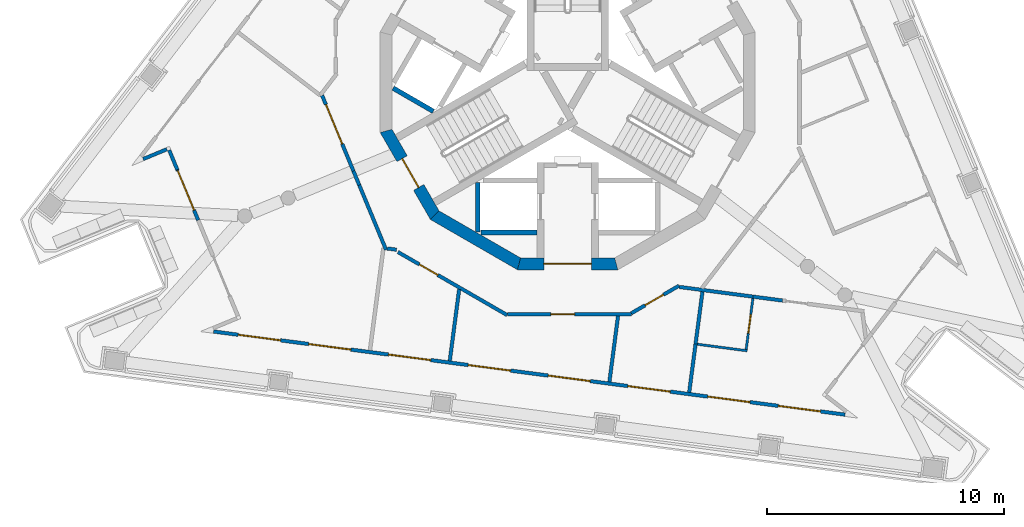
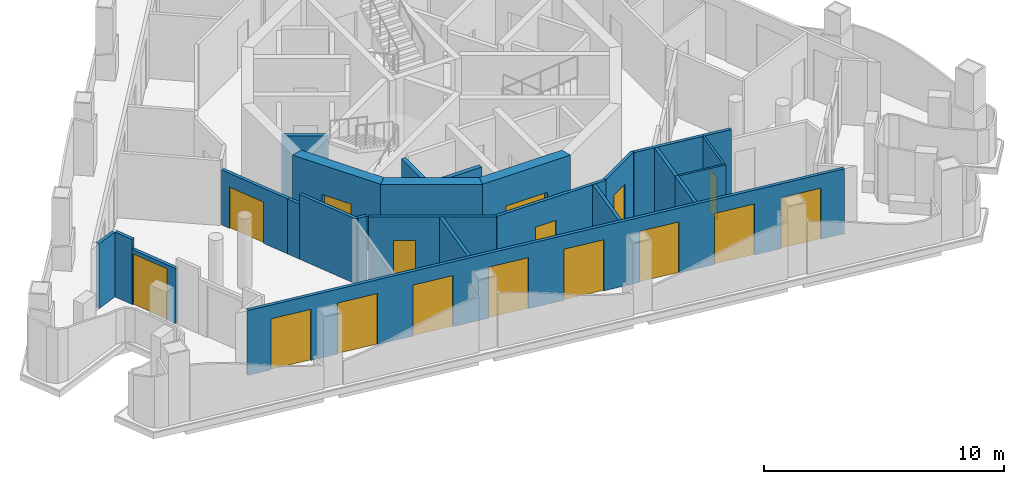
# One storey, part 2 of 12: 25 walls, 16 doors, 16 openings.
"""IFC4 building model written with IfcOpenShell, lengths in metres."""

from ifc_helpers import new_model, si_unit, direction, frame, frame_2d, origin, place, context, subcontext, project, spatial, polyline, rectangle, outline, extrude, material, layer, layer_set, type_object, element, fill, save


model = new_model("IFC4")

# Units and contexts
model_context = context("Model", 3, precision=1e-05, world=origin(), true_north=direction((0.0, 1.0)))
body_context = subcontext(model_context, "Body", "Model", "MODEL_VIEW")
ifc_project = project(units=[si_unit("LENGTHUNIT", "METRE"), si_unit("AREAUNIT", "SQUARE_METRE"), si_unit("VOLUMEUNIT", "CUBIC_METRE"), si_unit("PLANEANGLEUNIT", "RADIAN"), si_unit("MASSUNIT", "GRAM", prefix="KILO")], contexts=[model_context])

# Site, building, storey
site_placement = place(None, origin())
site = spatial("IfcSite", under=ifc_project, at=site_placement, CompositionType="ELEMENT")
building_placement = place(site_placement, origin())
building = spatial("IfcBuilding", under=site, at=building_placement, Name="Trine Commons Tower", CompositionType="ELEMENT")
storey_placement = place(building_placement, frame((0.0, 0.0, 289.800048828125)))
storey = spatial("IfcBuildingStorey", under=building, at=storey_placement, Name="L76", CompositionType="ELEMENT", Elevation=289.800048828125)

# Wall, openings, doors
ifc_material_1 = material(Name="Aluminium-framed insulated wall panel", Category="aluminium")
ifc_layer_1 = layer(ifc_material_1, 0.14990234375)
ifc_layer_set_1 = layer_set([ifc_layer_1], Name="Aluminium-framed insulated wall panel")
wall_type_1 = type_object("IfcWallType", Name="Glazed frame wall 150, EI 60", PredefinedType="SOLIDWALL", material=ifc_layer_set_1)
wall_1_placement = place(storey_placement, frame((91.869140625, 48.4384765625, 0.0), z_axis=(0.0, 0.0, 1.0), x_axis=(-0.991445282789, 0.130522991213, 0.0)))
wall_1 = element("IfcWall", 1, at=wall_1_placement, inside=storey, type_object=wall_type_1, Name="Glazed frame wall F3", PredefinedType="SOLIDWALL", context=body_context, shape_type="SweptSolid", body=[
    extrude(outline(polyline([(0.1494140625, 0.074951171875), (0.1494140625, -0.074951171875), (27.056884765625, -0.074951171875), (27.056884765625, 0.074951171875), (0.1494140625, 0.074951171875)])), origin(), (0.0, 0.0, 1.0), 3.300048828125),
])
opening_1_placement = place(wall_1_placement, frame((1.200439453125, 0.0, 0.0)))
opening_1 = element("IfcOpeningElement", 2, at=opening_1_placement, cuts=wall_1, Name="Opening BD-8F3-01", PredefinedType="OPENING", context=body_context, shape_type="SweptSolid", body=[
    extrude(rectangle(XDim=1.800048828125, YDim=2.60009765625, at=frame_2d((0.89990234375, 1.300048828125))), frame((0.0, 0.0849609375, 0.0), z_axis=(0.0, -1.0, 0.0), x_axis=(1.0, 0.0, 0.0)), (0.0, 0.0, 1.0), 0.169921875),
])
opening_2_placement = place(wall_1_placement, frame((4.201171875, 0.0, 0.0)))
opening_2 = element("IfcOpeningElement", 3, at=opening_2_placement, cuts=wall_1, Name="Opening BD-8F3-02", PredefinedType="OPENING", context=body_context, shape_type="SweptSolid", body=[
    extrude(rectangle(XDim=1.800048828125, YDim=2.60009765625, at=frame_2d((0.89990234375, 1.300048828125))), frame((0.0, 0.0849609375, 0.0), z_axis=(0.0, -1.0, 0.0), x_axis=(1.0, 0.0, 0.0)), (0.0, 0.0, 1.0), 0.169921875),
])
opening_3_placement = place(wall_1_placement, frame((7.60205078125, 0.0, 0.0)))
opening_3 = element("IfcOpeningElement", 4, at=opening_3_placement, cuts=wall_1, Name="Opening BD-8F3-03", PredefinedType="OPENING", context=body_context, shape_type="SweptSolid", body=[
    extrude(rectangle(XDim=1.800048828125, YDim=2.60009765625, at=frame_2d((0.89990234375, 1.300048828125))), frame((0.0, 0.0849609375, 0.0), z_axis=(0.0, -1.0, 0.0), x_axis=(1.0, 0.0, 0.0)), (0.0, 0.0, 1.0), 0.169921875),
])
opening_4_placement = place(wall_1_placement, frame((11.002685546875, 0.0, 0.0)))
opening_4 = element("IfcOpeningElement", 5, at=opening_4_placement, cuts=wall_1, Name="Opening BD-8F3-04", PredefinedType="OPENING", context=body_context, shape_type="SweptSolid", body=[
    extrude(rectangle(XDim=1.800048828125, YDim=2.60009765625, at=frame_2d((0.89990234375, 1.300048828125))), frame((0.0, 0.0849609375, 0.0), z_axis=(0.0, -1.0, 0.0), x_axis=(1.0, 0.0, 0.0)), (0.0, 0.0, 1.0), 0.169921875),
])
opening_5_placement = place(wall_1_placement, frame((14.403564453125, 0.0, 0.0)))
opening_5 = element("IfcOpeningElement", 6, at=opening_5_placement, cuts=wall_1, Name="Opening BD-8F3-05", PredefinedType="OPENING", context=body_context, shape_type="SweptSolid", body=[
    extrude(rectangle(XDim=1.800048828125, YDim=2.60009765625, at=frame_2d((0.89990234375, 1.300048828125))), frame((0.0, 0.0849609375, 0.0), z_axis=(0.0, -1.0, 0.0), x_axis=(1.0, 0.0, 0.0)), (0.0, 0.0, 1.0), 0.169921875),
])
opening_6_placement = place(wall_1_placement, frame((17.804443359375, 0.0, 0.0)))
opening_6 = element("IfcOpeningElement", 7, at=opening_6_placement, cuts=wall_1, Name="Opening BD-8F3-06", PredefinedType="OPENING", context=body_context, shape_type="SweptSolid", body=[
    extrude(rectangle(XDim=1.800048828125, YDim=2.60009765625, at=frame_2d((0.89990234375, 1.300048828125))), frame((0.0, 0.0849609375, 0.0), z_axis=(0.0, -1.0, 0.0), x_axis=(1.0, 0.0, 0.0)), (0.0, 0.0, 1.0), 0.169921875),
])
opening_7_placement = place(wall_1_placement, frame((21.205078125, 0.0, 0.0)))
opening_7 = element("IfcOpeningElement", 8, at=opening_7_placement, cuts=wall_1, Name="Opening BD-8F3-07", PredefinedType="OPENING", context=body_context, shape_type="SweptSolid", body=[
    extrude(rectangle(XDim=1.800048828125, YDim=2.60009765625, at=frame_2d((0.89990234375, 1.300048828125))), frame((0.0, 0.0849609375, 0.0), z_axis=(0.0, -1.0, 0.0), x_axis=(1.0, 0.0, 0.0)), (0.0, 0.0, 1.0), 0.169921875),
])
opening_8_placement = place(wall_1_placement, frame((24.2060546875, 0.0, 0.0)))
opening_8 = element("IfcOpeningElement", 9, at=opening_8_placement, cuts=wall_1, Name="Opening BD-8F3-08", PredefinedType="OPENING", context=body_context, shape_type="SweptSolid", body=[
    extrude(rectangle(XDim=1.800048828125, YDim=2.60009765625, at=frame_2d((0.89990234375, 1.300048828125))), frame((0.0, 0.0849609375, 0.0), z_axis=(0.0, -1.0, 0.0), x_axis=(1.0, 0.0, 0.0)), (0.0, 0.0, 1.0), 0.169921875),
])
ifc_material_2 = material(Name="Anodised aluminium frame with double glazing", Category="aluminium")
door_type_1 = type_object("IfcDoorType", Name="Sliding loggia door 1800x2600", OperationType="SLIDING_TO_LEFT", PredefinedType="DOOR", material=ifc_material_2)
door_1_placement = place(opening_1_placement, origin())
door_1 = element("IfcDoor", 10, at=door_1_placement, inside=storey, type_object=door_type_1, Name="Loggia door F3 1", OperationType="SLIDING_TO_LEFT", OverallHeight=2.60009765625, OverallWidth=1.800048828125, PredefinedType="DOOR", context=body_context, shape_type="SweptSolid", body=[
    extrude(rectangle(XDim=1.800048828125, YDim=2.60009765625, at=frame_2d((0.89990234375, 1.300048828125))), frame((0.0, 0.02490234375, 0.0), z_axis=(0.0, -1.0, 0.0), x_axis=(1.0, 0.0, 0.0)), (0.0, 0.0, 1.0), 0.050048828125),
])
fill(opening_1, door_1)
door_2_placement = place(opening_2_placement, origin())
door_2 = element("IfcDoor", 11, at=door_2_placement, inside=storey, type_object=door_type_1, Name="Loggia door F3 2", OperationType="SLIDING_TO_LEFT", OverallHeight=2.60009765625, OverallWidth=1.800048828125, PredefinedType="DOOR", context=body_context, shape_type="SweptSolid", body=[
    extrude(rectangle(XDim=1.800048828125, YDim=2.60009765625, at=frame_2d((0.89990234375, 1.300048828125))), frame((0.0, 0.02490234375, 0.0), z_axis=(0.0, -1.0, 0.0), x_axis=(1.0, 0.0, 0.0)), (0.0, 0.0, 1.0), 0.050048828125),
])
fill(opening_2, door_2)
door_3_placement = place(opening_3_placement, origin())
door_3 = element("IfcDoor", 12, at=door_3_placement, inside=storey, type_object=door_type_1, Name="Loggia door F3 3", OperationType="SLIDING_TO_LEFT", OverallHeight=2.60009765625, OverallWidth=1.800048828125, PredefinedType="DOOR", context=body_context, shape_type="SweptSolid", body=[
    extrude(rectangle(XDim=1.800048828125, YDim=2.60009765625, at=frame_2d((0.89990234375, 1.300048828125))), frame((0.0, 0.02490234375, 0.0), z_axis=(0.0, -1.0, 0.0), x_axis=(1.0, 0.0, 0.0)), (0.0, 0.0, 1.0), 0.050048828125),
])
fill(opening_3, door_3)
door_4_placement = place(opening_4_placement, origin())
door_4 = element("IfcDoor", 13, at=door_4_placement, inside=storey, type_object=door_type_1, Name="Loggia door F3 4", OperationType="SLIDING_TO_LEFT", OverallHeight=2.60009765625, OverallWidth=1.800048828125, PredefinedType="DOOR", context=body_context, shape_type="SweptSolid", body=[
    extrude(rectangle(XDim=1.800048828125, YDim=2.60009765625, at=frame_2d((0.89990234375, 1.300048828125))), frame((0.0, 0.02490234375, 0.0), z_axis=(0.0, -1.0, 0.0), x_axis=(1.0, 0.0, 0.0)), (0.0, 0.0, 1.0), 0.050048828125),
])
fill(opening_4, door_4)
door_5_placement = place(opening_5_placement, origin())
door_5 = element("IfcDoor", 14, at=door_5_placement, inside=storey, type_object=door_type_1, Name="Loggia door F3 5", OperationType="SLIDING_TO_LEFT", OverallHeight=2.60009765625, OverallWidth=1.800048828125, PredefinedType="DOOR", context=body_context, shape_type="SweptSolid", body=[
    extrude(rectangle(XDim=1.800048828125, YDim=2.60009765625, at=frame_2d((0.89990234375, 1.300048828125))), frame((0.0, 0.02490234375, 0.0), z_axis=(0.0, -1.0, 0.0), x_axis=(1.0, 0.0, 0.0)), (0.0, 0.0, 1.0), 0.050048828125),
])
fill(opening_5, door_5)
door_6_placement = place(opening_6_placement, origin())
door_6 = element("IfcDoor", 15, at=door_6_placement, inside=storey, type_object=door_type_1, Name="Loggia door F3 6", OperationType="SLIDING_TO_LEFT", OverallHeight=2.60009765625, OverallWidth=1.800048828125, PredefinedType="DOOR", context=body_context, shape_type="SweptSolid", body=[
    extrude(rectangle(XDim=1.800048828125, YDim=2.60009765625, at=frame_2d((0.89990234375, 1.300048828125))), frame((0.0, 0.02490234375, 0.0), z_axis=(0.0, -1.0, 0.0), x_axis=(1.0, 0.0, 0.0)), (0.0, 0.0, 1.0), 0.050048828125),
])
fill(opening_6, door_6)
door_7_placement = place(opening_7_placement, origin())
door_7 = element("IfcDoor", 16, at=door_7_placement, inside=storey, type_object=door_type_1, Name="Loggia door F3 7", OperationType="SLIDING_TO_LEFT", OverallHeight=2.60009765625, OverallWidth=1.800048828125, PredefinedType="DOOR", context=body_context, shape_type="SweptSolid", body=[
    extrude(rectangle(XDim=1.800048828125, YDim=2.60009765625, at=frame_2d((0.89990234375, 1.300048828125))), frame((0.0, 0.02490234375, 0.0), z_axis=(0.0, -1.0, 0.0), x_axis=(1.0, 0.0, 0.0)), (0.0, 0.0, 1.0), 0.050048828125),
])
fill(opening_7, door_7)
door_8_placement = place(opening_8_placement, origin())
door_8 = element("IfcDoor", 17, at=door_8_placement, inside=storey, type_object=door_type_1, Name="Loggia door F3 8", OperationType="SLIDING_TO_LEFT", OverallHeight=2.60009765625, OverallWidth=1.800048828125, PredefinedType="DOOR", context=body_context, shape_type="SweptSolid", body=[
    extrude(rectangle(XDim=1.800048828125, YDim=2.60009765625, at=frame_2d((0.89990234375, 1.300048828125))), frame((0.0, 0.02490234375, 0.0), z_axis=(0.0, -1.0, 0.0), x_axis=(1.0, 0.0, 0.0)), (0.0, 0.0, 1.0), 0.050048828125),
])
fill(opening_8, door_8)

# Wall, opening, door
wall_2_placement = place(storey_placement, frame((64.392578125, 56.673095703125, 0.0), z_axis=(0.0, 0.0, 1.0), x_axis=(-0.382693948857, 0.923875176368, 0.0)))
wall_2 = element("IfcWall", 18, at=wall_2_placement, inside=storey, type_object=wall_type_1, Name="Glazed frame wall P3.4", PredefinedType="SOLIDWALL", context=body_context, shape_type="SweptSolid", body=[
    extrude(outline(polyline([(0.0, -0.074951171875), (2.310546875, -0.074951171875), (2.310546875, 0.074951171875), (0.0, 0.074951171875), (0.0, -0.074951171875)])), origin(), (0.0, 0.0, 1.0), 2.800048828125),
])
opening_9_placement = place(wall_2_placement, frame((0.460693359375, 0.0, 0.0)))
opening_9 = element("IfcOpeningElement", 19, at=opening_9_placement, cuts=wall_2, Name="Opening BD-8P3-02", PredefinedType="OPENING", context=body_context, shape_type="SweptSolid", body=[
    extrude(rectangle(XDim=1.800048828125, YDim=2.60009765625, at=frame_2d((0.89990234375, 1.300048828125))), frame((0.0, 0.0849609375, 0.0), z_axis=(0.0, -1.0, 0.0), x_axis=(1.0, 0.0, 0.0)), (0.0, 0.0, 1.0), 0.169921875),
])
door_9_placement = place(opening_9_placement, origin())
door_9 = element("IfcDoor", 20, at=door_9_placement, inside=storey, type_object=door_type_1, Name="Loggia door P3 2", OperationType="SLIDING_TO_LEFT", OverallHeight=2.60009765625, OverallWidth=1.800048828125, PredefinedType="DOOR", context=body_context, shape_type="SweptSolid", body=[
    extrude(rectangle(XDim=1.800048828125, YDim=2.60009765625, at=frame_2d((0.89990234375, 1.300048828125))), frame((0.0, 0.02490234375, 0.0), z_axis=(0.0, -1.0, 0.0), x_axis=(1.0, 0.0, 0.0)), (0.0, 0.0, 1.0), 0.050048828125),
])
fill(opening_9, door_9)

# Walls
wall_3_placement = place(storey_placement, frame((63.50830078125, 58.807861328125, 0.0), z_axis=(0.0, 0.0, 1.0), x_axis=(-0.382603377961, 0.923912688068, 0.0)))
element("IfcWall", 21, at=wall_3_placement, inside=storey, type_object=wall_type_1, Name="Glazed frame wall P3.5", PredefinedType="SOLIDWALL", context=body_context, shape_type="SweptSolid", body=[
    extrude(outline(polyline([(0.889892578125, 0.074951171875), (0.0, 0.074951171875), (0.0, -0.074951171875), (0.889892578125, -0.074951171875), (0.889892578125, 0.074951171875)])), origin(), (0.0, 0.0, 1.0), 3.300048828125),
])
wall_4_placement = place(storey_placement, frame((63.17138671875, 59.712890625, 0.0), z_axis=(0.0, 0.0, 1.0), x_axis=(-0.923837625967, -0.382784588048, 0.0)))
element("IfcWall", 22, at=wall_4_placement, inside=storey, type_object=wall_type_1, Name="Glazed frame wall R12", PredefinedType="SOLIDWALL", context=body_context, shape_type="SweptSolid", body=[
    extrude(outline(polyline([(0.110107421875, 0.074951171875), (0.110107421875, -0.074951171875), (1.19580078125, -0.074951171875), (1.19580078125, 0.074951171875), (0.110107421875, 0.074951171875)])), origin(), (0.0, 0.0, 1.0), 3.300048828125),
])

# Wall, opening, door
ifc_material_3 = material(Name="Concrete C50/60", Category="concrete")
ifc_layer_2 = layer(ifc_material_3, 0.5)
ifc_layer_set_2 = layer_set([ifc_layer_2], Name="Concrete C50/60")
wall_type_2 = type_object("IfcWallType", Name="RC shear wall 500 mm, C50/60", PredefinedType="SHEAR", material=ifc_layer_set_2)
wall_5_placement = place(storey_placement, frame((72.2958984375, 60.502685546875, 0.0), z_axis=(0.0, 0.0, 1.0), x_axis=(0.499992968425, -0.866029463428, 0.0)))
wall_5 = element("IfcWall", 23, at=wall_5_placement, inside=storey, type_object=wall_type_2, Name="Core wall CWH-08 L76", PredefinedType="SHEAR", context=body_context, shape_type="SweptSolid", body=[
    extrude(outline(polyline([(0.0, -0.25), (4.24462890625, -0.25), (4.110595703125, 0.25), (0.134033203125, 0.25), (0.0, -0.25)])), origin(), (0.0, 0.0, 1.0), 3.599853515625),
])
opening_10_placement = place(wall_5_placement, frame((1.42236328125, 0.0, 0.0)))
opening_10 = element("IfcOpeningElement", 24, at=opening_10_placement, cuts=wall_5, Name="Opening K18.02", PredefinedType="OPENING", context=body_context, shape_type="SweptSolid", body=[
    extrude(rectangle(XDim=1.39990234375, YDim=2.10009765625, at=frame_2d((0.699951171875, 1.050048828125))), frame((0.0, 0.260009765625, 0.0), z_axis=(0.0, -1.0, 0.0), x_axis=(1.0, 0.0, 0.0)), (0.0, 0.0, 1.0), 0.52001953125),
])
ifc_material_4 = material(Name="Steel door leaves, fire-rated", Category="steel")
door_type_2 = type_object("IfcDoorType", Name="Stair door, double leaf 1400 x 2100, FD90", OperationType="DOUBLE_DOOR_SINGLE_SWING", PredefinedType="DOOR", material=ifc_material_4)
door_10_placement = place(opening_10_placement, origin())
door_10 = element("IfcDoor", 25, at=door_10_placement, inside=storey, type_object=door_type_2, Name="Stair door to Exit stair ST2D L76", OperationType="DOUBLE_DOOR_SINGLE_SWING", OverallHeight=2.10009765625, OverallWidth=1.39990234375, PredefinedType="DOOR", context=body_context, shape_type="SweptSolid", body=[
    extrude(rectangle(XDim=1.39990234375, YDim=2.10009765625, at=frame_2d((0.699951171875, 1.050048828125))), frame((0.0, 0.02490234375, 0.0), z_axis=(0.0, -1.0, 0.0), x_axis=(1.0, 0.0, 0.0)), (0.0, 0.0, 1.0), 0.050048828125),
])
fill(opening_10, door_10)

# Wall
wall_6_placement = place(storey_placement, frame((74.32666015625, 56.918212890625, 0.0), z_axis=(0.0, 0.0, 1.0), x_axis=(0.866029463428, -0.499992968425, 0.0)))
element("IfcWall", 26, at=wall_6_placement, inside=storey, type_object=wall_type_2, Name="Core wall CWH-09 L76", PredefinedType="SHEAR", context=body_context, shape_type="SweptSolid", body=[
    extrude(outline(polyline([(0.0, -0.25), (4.24462890625, -0.25), (4.110595703125, 0.25), (0.134033203125, 0.25), (0.0, -0.25)])), origin(), (0.0, 0.0, 1.0), 3.599853515625),
])

# Wall, opening, door
wall_7_placement = place(storey_placement, frame((77.877685546875, 54.829345703125, 0.0), z_axis=(0.0, 0.0, 1.0), x_axis=(1.0, 0.0, 0.0)))
wall_7 = element("IfcWall", 27, at=wall_7_placement, inside=storey, type_object=wall_type_2, Name="Core wall CWH-10 L76", PredefinedType="SHEAR", context=body_context, shape_type="SweptSolid", body=[
    extrude(outline(polyline([(0.0, -0.25), (4.24462890625, -0.25), (4.110595703125, 0.25), (0.134033203125, 0.25), (0.0, -0.25)])), origin(), (0.0, 0.0, 1.0), 3.599853515625),
])
opening_11_placement = place(wall_7_placement, frame((1.122314453125, 0.0, 0.0)))
opening_11 = element("IfcOpeningElement", 28, at=opening_11_placement, cuts=wall_7, Name="Opening K18.08", PredefinedType="OPENING", context=body_context, shape_type="SweptSolid", body=[
    extrude(rectangle(XDim=2.0, YDim=2.10009765625, at=frame_2d((1.0, 1.050048828125))), frame((0.0, 0.260009765625, 0.0), z_axis=(0.0, -1.0, 0.0), x_axis=(1.0, 0.0, 0.0)), (0.0, 0.0, 1.0), 0.52001953125),
])
door_type_3 = type_object("IfcDoorType", Name="Lobby door, double leaf 2000 x 2100, FD60", OperationType="DOUBLE_DOOR_SINGLE_SWING", PredefinedType="DOOR", material=ifc_material_4)
door_11_placement = place(opening_11_placement, origin())
door_11 = element("IfcDoor", 29, at=door_11_placement, inside=storey, type_object=door_type_3, Name="Lobby door, Service and firefighting lobby L76", OperationType="DOUBLE_DOOR_SINGLE_SWING", OverallHeight=2.10009765625, OverallWidth=2.0, PredefinedType="DOOR", context=body_context, shape_type="SweptSolid", body=[
    extrude(rectangle(XDim=2.0, YDim=2.10009765625, at=frame_2d((1.0, 1.050048828125))), frame((0.0, 0.02490234375, 0.0), z_axis=(0.0, -1.0, 0.0), x_axis=(1.0, 0.0, 0.0)), (0.0, 0.0, 1.0), 0.050048828125),
])
fill(opening_11, door_11)

# Walls
ifc_material_5 = material(Name="Fire-rated gypsum shaft wall system")
ifc_layer_3 = layer(ifc_material_5, 0.199951171875)
ifc_layer_set_3 = layer_set([ifc_layer_3], Name="Fire-rated gypsum shaft wall system")
wall_type_3 = type_object("IfcWallType", Name="Shaft wall 200 mm, EI 120", PredefinedType="PARTITIONING", material=ifc_layer_set_3)
wall_8_placement = place(storey_placement, frame((74.324951171875, 61.27294921875, 0.0), z_axis=(0.0, 0.0, 1.0), x_axis=(-0.86585547495, 0.500294209939, 0.0)))
element("IfcWall", 30, at=wall_8_placement, inside=storey, type_object=wall_type_3, Name="Shaft wall L76", PredefinedType="PARTITIONING", context=body_context, shape_type="SweptSolid", body=[
    extrude(rectangle(XDim=1.958740234375, YDim=0.199951171875, at=frame_2d((0.9794921875, 0.0))), origin(), (0.0, 0.0, 1.0), 3.300048828125),
])
wall_9_placement = place(storey_placement, frame((76.199951171875, 58.257080078125, 0.0), z_axis=(0.0, 0.0, 1.0), x_axis=(0.0, -1.0, 0.0)))
element("IfcWall", 31, at=wall_9_placement, inside=storey, type_object=wall_type_3, Name="Shaft wall L76", PredefinedType="PARTITIONING", context=body_context, shape_type="SweptSolid", body=[
    extrude(rectangle(XDim=2.073974609375, YDim=0.199951171875, at=frame_2d((1.037109375, 0.0))), origin(), (0.0, 0.0, 1.0), 3.300048828125),
])
wall_10_placement = place(storey_placement, frame((78.699951171875, 56.14990234375, 0.0), z_axis=(0.0, 0.0, 1.0), x_axis=(-1.0, 0.0, 0.0)))
element("IfcWall", 32, at=wall_10_placement, inside=storey, type_object=wall_type_3, Name="Shaft wall L76", PredefinedType="PARTITIONING", context=body_context, shape_type="SweptSolid", body=[
    extrude(rectangle(XDim=2.368896484375, YDim=0.199951171875, at=frame_2d((1.1845703125, 0.0))), origin(), (0.0, 0.0, 1.0), 3.300048828125),
])

# Wall, opening, door
ifc_material_6 = material(Name="Gypsum plasterboard on steel stud", Category="steel")
ifc_layer_4 = layer(ifc_material_6, 0.14990234375)
ifc_layer_set_4 = layer_set([ifc_layer_4], Name="Gypsum plasterboard on steel stud")
wall_type_4 = type_object("IfcWallType", Name="Unit and corridor wall 150 mm, EI 60", PredefinedType="PARTITIONING", material=ifc_layer_set_4)
wall_11_placement = place(storey_placement, frame((69.626708984375, 61.94580078125, 0.0), z_axis=(0.0, 0.0, 1.0), x_axis=(0.382659407135, -0.923889483721, 0.0)))
wall_11 = element("IfcWall", 33, at=wall_11_placement, inside=storey, type_object=wall_type_4, Name="Partition 004", PredefinedType="PARTITIONING", context=body_context, shape_type="SweptSolid", body=[
    extrude(rectangle(XDim=3.4580078125, YDim=0.14990234375, at=frame_2d((1.72900390625, 0.0))), origin(), (0.0, 0.0, 1.0), 2.800048828125),
])
opening_12_placement = place(wall_11_placement, frame((0.421630859375, 0.0, 0.0)))
opening_12 = element("IfcOpeningElement", 34, at=opening_12_placement, cuts=wall_11, Name="Opening D-8B03", PredefinedType="OPENING", context=body_context, shape_type="SweptSolid", body=[
    extrude(rectangle(XDim=1.800048828125, YDim=2.10009765625, at=frame_2d((0.89990234375, 1.050048828125))), frame((0.0, 0.0849609375, 0.0), z_axis=(0.0, -1.0, 0.0), x_axis=(1.0, 0.0, 0.0)), (0.0, 0.0, 1.0), 0.169921875),
])
ifc_material_7 = material(Name="Timber fire door set", Category="wood")
door_type_4 = type_object("IfcDoorType", Name="Cluster entrance door 1800 x 2100, double leaf, FD30S", OperationType="DOUBLE_DOOR_DOUBLE_SWING", PredefinedType="DOOR", material=ifc_material_7)
door_12_placement = place(opening_12_placement, frame((1.800048828125, 0.0, 0.0), z_axis=(0.0, 0.0, 1.0), x_axis=(-1.0, 0.0, 0.0)))
door_12 = element("IfcDoor", 35, at=door_12_placement, inside=storey, type_object=door_type_4, Name="Door D-8B03", OperationType="DOUBLE_DOOR_DOUBLE_SWING", OverallHeight=2.10009765625, OverallWidth=1.800048828125, PredefinedType="DOOR", context=body_context, shape_type="SweptSolid", body=[
    extrude(rectangle(XDim=1.800048828125, YDim=2.10009765625, at=frame_2d((0.89990234375, 1.050048828125))), frame((0.0, 0.02490234375, 0.0), z_axis=(0.0, -1.0, 0.0), x_axis=(1.0, 0.0, 0.0)), (0.0, 0.0, 1.0), 0.050048828125),
])
fill(opening_12, door_12)

# Walls
wall_12_placement = place(storey_placement, frame((70.949951171875, 58.7509765625, 0.0), z_axis=(0.0, 0.0, 1.0), x_axis=(0.383291989612, -0.923627224967, 0.0)))
element("IfcWall", 36, at=wall_12_placement, inside=storey, type_object=wall_type_4, Name="Partition 008", PredefinedType="PARTITIONING", context=body_context, shape_type="SweptSolid", body=[
    extrude(rectangle(XDim=0.64208984375, YDim=0.14990234375, at=frame_2d((0.321044921875, 0.0))), origin(), (0.0, 0.0, 1.0), 2.800048828125),
])
wall_13_placement = place(storey_placement, frame((71.196044921875, 58.157958984375, 0.0), z_axis=(0.0, 0.0, 1.0), x_axis=(0.382720248055, -0.923864282094, 0.0)))
element("IfcWall", 37, at=wall_13_placement, inside=storey, type_object=wall_type_4, Name="Partition 009", PredefinedType="PARTITIONING", context=body_context, shape_type="SweptSolid", body=[
    extrude(rectangle(XDim=2.965087890625, YDim=0.14990234375, at=frame_2d((1.482421875, 0.0))), origin(), (0.0, 0.0, 1.0), 3.300048828125),
])
wall_14_placement = place(storey_placement, frame((72.37646484375, 55.478271484375, 0.0), z_axis=(0.0, 0.0, 1.0), x_axis=(0.991429342672, -0.130644014367, 0.0)))
element("IfcWall", 38, at=wall_14_placement, inside=storey, type_object=wall_type_4, Name="Partition 012", PredefinedType="PARTITIONING", context=body_context, shape_type="SweptSolid", body=[
    extrude(rectangle(XDim=0.39990234375, YDim=0.14990234375, at=frame_2d((0.199951171875, 0.0))), origin(), (0.0, 0.0, 1.0), 3.300048828125),
])

# Wall, opening, door
wall_15_placement = place(storey_placement, frame((72.8291015625, 55.3291015625, 0.0), z_axis=(0.0, 0.0, 1.0), x_axis=(0.865982457891, -0.500074377092, 0.0)))
wall_15 = element("IfcWall", 39, at=wall_15_placement, inside=storey, type_object=wall_type_4, Name="Partition 013", PredefinedType="PARTITIONING", context=body_context, shape_type="SweptSolid", body=[
    extrude(rectangle(XDim=5.324462890625, YDim=0.14990234375, at=frame_2d((2.662109375, 0.0))), origin(), (0.0, 0.0, 1.0), 3.300048828125),
])
opening_13_placement = place(wall_15_placement, frame((1.05029296875, 0.0, 0.0)))
opening_13 = element("IfcOpeningElement", 40, at=opening_13_placement, cuts=wall_15, Name="Opening D-8B15", PredefinedType="OPENING", context=body_context, shape_type="SweptSolid", body=[
    extrude(rectangle(XDim=0.89990234375, YDim=2.10009765625, at=frame_2d((0.449951171875, 1.050048828125))), frame((0.0, 0.0849609375, 0.0), z_axis=(0.0, -1.0, 0.0), x_axis=(1.0, 0.0, 0.0)), (0.0, 0.0, 1.0), 0.169921875),
])
door_type_5 = type_object("IfcDoorType", Name="Service door 900 x 2100, FD30S", OperationType="NOTDEFINED", PredefinedType="DOOR", material=ifc_material_7)
door_13_placement = place(opening_13_placement, frame((0.89990234375, 0.0, 0.0), z_axis=(0.0, 0.0, 1.0), x_axis=(-1.0, 0.0, 0.0)))
door_13 = element("IfcDoor", 41, at=door_13_placement, inside=storey, type_object=door_type_5, Name="Door D-8B15", OperationType="SINGLE_SWING_RIGHT", OverallHeight=2.10009765625, OverallWidth=0.89990234375, PredefinedType="DOOR", context=body_context, shape_type="SweptSolid", body=[
    extrude(rectangle(XDim=0.89990234375, YDim=2.10009765625, at=frame_2d((0.449951171875, 1.050048828125))), frame((0.0, 0.02490234375, 0.0), z_axis=(0.0, -1.0, 0.0), x_axis=(1.0, 0.0, 0.0)), (0.0, 0.0, 1.0), 0.050048828125),
])
fill(opening_13, door_13)

# Wall
wall_16_placement = place(storey_placement, frame((75.020263671875, 50.732666015625, 0.0), z_axis=(0.0, 0.0, 1.0), x_axis=(0.130558109067, 0.991440658918, 0.0)))
element("IfcWall", 42, at=wall_16_placement, inside=storey, type_object=wall_type_4, Name="Partition 016", PredefinedType="PARTITIONING", context=body_context, shape_type="SweptSolid", body=[
    extrude(rectangle(XDim=3.048095703125, YDim=0.14990234375, at=frame_2d((1.52392578125, 0.0))), origin(), (0.0, 0.0, 1.0), 3.300048828125),
])

# Wall, opening, door
wall_17_placement = place(storey_placement, frame((77.449951171875, 52.7041015625, 0.0), z_axis=(0.0, 0.0, 1.0), x_axis=(1.0, 0.0, 0.0)))
wall_17 = element("IfcWall", 43, at=wall_17_placement, inside=storey, type_object=wall_type_4, Name="Partition 019", PredefinedType="PARTITIONING", context=body_context, shape_type="SweptSolid", body=[
    extrude(rectangle(XDim=5.25, YDim=0.14990234375, at=frame_2d((2.625, 0.0))), origin(), (0.0, 0.0, 1.0), 3.300048828125),
])
opening_14_placement = place(wall_17_placement, frame((1.844970703125, 0.0, 0.0)))
opening_14 = element("IfcOpeningElement", 44, at=opening_14_placement, cuts=wall_17, Name="Opening D-8B14", PredefinedType="OPENING", context=body_context, shape_type="SweptSolid", body=[
    extrude(rectangle(XDim=1.0, YDim=2.10009765625, at=frame_2d((0.5, 1.050048828125))), frame((0.0, 0.0849609375, 0.0), z_axis=(0.0, -1.0, 0.0), x_axis=(1.0, 0.0, 0.0)), (0.0, 0.0, 1.0), 0.169921875),
])
ifc_material_8 = material(Name="Painted timber", Category="wood")
door_type_6 = type_object("IfcDoorType", Name="Amenity room door 1000 x 2100, NOT RATED", OperationType="NOTDEFINED", PredefinedType="DOOR", material=ifc_material_8)
door_14_placement = place(opening_14_placement, frame((1.0, 0.0, 0.0), z_axis=(0.0, 0.0, 1.0), x_axis=(-1.0, 0.0, 0.0)))
door_14 = element("IfcDoor", 45, at=door_14_placement, inside=storey, type_object=door_type_6, Name="Door D-8B14", OperationType="SINGLE_SWING_RIGHT", OverallHeight=2.10009765625, OverallWidth=1.0, PredefinedType="DOOR", context=body_context, shape_type="SweptSolid", body=[
    extrude(rectangle(XDim=1.0, YDim=2.10009765625, at=frame_2d((0.5, 1.050048828125))), frame((0.0, 0.02490234375, 0.0), z_axis=(0.0, -1.0, 0.0), x_axis=(1.0, 0.0, 0.0)), (0.0, 0.0, 1.0), 0.050048828125),
])
fill(opening_14, door_14)

# Wall
wall_18_placement = place(storey_placement, frame((81.76416015625, 49.8447265625, 0.0), z_axis=(0.0, 0.0, 1.0), x_axis=(0.130290377986, 0.991475878377, 0.0)))
element("IfcWall", 46, at=wall_18_placement, inside=storey, type_object=wall_type_4, Name="Partition 024", PredefinedType="PARTITIONING", context=body_context, shape_type="SweptSolid", body=[
    extrude(rectangle(XDim=2.808837890625, YDim=0.14990234375, at=frame_2d((1.404296875, 0.0))), origin(), (0.0, 0.0, 1.0), 3.300048828125),
])

# Wall, opening, door
wall_19_placement = place(storey_placement, frame((82.68994140625, 52.741455078125, 0.0), z_axis=(0.0, 0.0, 1.0), x_axis=(0.865980532278, 0.500077711676, 0.0)))
wall_19 = element("IfcWall", 47, at=wall_19_placement, inside=storey, type_object=wall_type_4, Name="Partition 025", PredefinedType="PARTITIONING", context=body_context, shape_type="SweptSolid", body=[
    extrude(rectangle(XDim=2.320068359375, YDim=0.14990234375, at=frame_2d((1.16015625, 0.0))), origin(), (0.0, 0.0, 1.0), 3.300048828125),
])
opening_15_placement = place(wall_19_placement, frame((0.672607421875, 0.0, 0.0)))
opening_15 = element("IfcOpeningElement", 48, at=opening_15_placement, cuts=wall_19, Name="Opening D-8B13", PredefinedType="OPENING", context=body_context, shape_type="SweptSolid", body=[
    extrude(rectangle(XDim=0.89990234375, YDim=2.10009765625, at=frame_2d((0.449951171875, 1.050048828125))), frame((0.0, 0.0849609375, 0.0), z_axis=(0.0, -1.0, 0.0), x_axis=(1.0, 0.0, 0.0)), (0.0, 0.0, 1.0), 0.169921875),
])
door_15_placement = place(opening_15_placement, frame((0.89990234375, 0.0, 0.0), z_axis=(0.0, 0.0, 1.0), x_axis=(-1.0, 0.0, 0.0)))
door_15 = element("IfcDoor", 49, at=door_15_placement, inside=storey, type_object=door_type_5, Name="Door D-8B13", OperationType="SINGLE_SWING_RIGHT", OverallHeight=2.10009765625, OverallWidth=0.89990234375, PredefinedType="DOOR", context=body_context, shape_type="SweptSolid", body=[
    extrude(rectangle(XDim=0.89990234375, YDim=2.10009765625, at=frame_2d((0.449951171875, 1.050048828125))), frame((0.0, 0.02490234375, 0.0), z_axis=(0.0, -1.0, 0.0), x_axis=(1.0, 0.0, 0.0)), (0.0, 0.0, 1.0), 0.050048828125),
])
fill(opening_15, door_15)

# Walls
wall_20_placement = place(storey_placement, frame((84.70849609375, 53.854248046875, 0.0), z_axis=(0.0, 0.0, 1.0), x_axis=(0.991449115066, -0.130493878153, 0.0)))
element("IfcWall", 50, at=wall_20_placement, inside=storey, type_object=wall_type_4, Name="Partition 028", PredefinedType="PARTITIONING", context=body_context, shape_type="SweptSolid", body=[
    extrude(rectangle(XDim=3.20849609375, YDim=0.14990234375, at=frame_2d((1.604248046875, 0.0))), origin(), (0.0, 0.0, 1.0), 3.300048828125),
])
wall_21_placement = place(storey_placement, frame((85.13525390625, 49.400634765625, 0.0), z_axis=(0.0, 0.0, 1.0), x_axis=(0.130479037317, 0.991451068294, 0.0)))
element("IfcWall", 51, at=wall_21_placement, inside=storey, type_object=wall_type_4, Name="Partition 029", PredefinedType="PARTITIONING", context=body_context, shape_type="SweptSolid", body=[
    extrude(rectangle(XDim=2.06005859375, YDim=0.14990234375, at=frame_2d((1.030029296875, 0.0))), origin(), (0.0, 0.0, 1.0), 3.300048828125),
])
wall_22_placement = place(storey_placement, frame((85.404052734375, 51.443115234375, 0.0), z_axis=(0.0, 0.0, 1.0), x_axis=(0.130920053601, 0.991392928946, 0.0)))
element("IfcWall", 52, at=wall_22_placement, inside=storey, type_object=wall_type_4, Name="Partition 032", PredefinedType="PARTITIONING", context=body_context, shape_type="SweptSolid", body=[
    extrude(rectangle(XDim=2.224609375, YDim=0.14990234375, at=frame_2d((1.1123046875, 0.0))), origin(), (0.0, 0.0, 1.0), 3.300048828125),
])
wall_23_placement = place(storey_placement, frame((87.83203125, 53.443115234375, 0.0), z_axis=(0.0, 0.0, 1.0), x_axis=(0.991413847303, -0.130761551597, 0.0)))
element("IfcWall", 53, at=wall_23_placement, inside=storey, type_object=wall_type_4, Name="Partition 040", PredefinedType="PARTITIONING", context=body_context, shape_type="SweptSolid", body=[
    extrude(rectangle(XDim=1.254638671875, YDim=0.14990234375, at=frame_2d((0.62744140625, 0.0))), origin(), (0.0, 0.0, 1.0), 3.300048828125),
])
ifc_layer_5 = layer(ifc_material_6, 0.10009765625)
ifc_layer_set_5 = layer_set([ifc_layer_5], Name="Gypsum plasterboard on steel stud")
wall_type_5 = type_object("IfcWallType", Name="Unit partition 100 mm, no rating", PredefinedType="PARTITIONING", material=ifc_layer_set_5)
wall_24_placement = place(storey_placement, frame((85.478515625, 51.43310546875, 0.0), z_axis=(0.0, 0.0, 1.0), x_axis=(0.991434344141, -0.130606053677, 0.0)))
element("IfcWall", 54, at=wall_24_placement, inside=storey, type_object=wall_type_5, Name="Partition 033", PredefinedType="PARTITIONING", context=body_context, shape_type="SweptSolid", body=[
    extrude(rectangle(XDim=2.12548828125, YDim=0.10009765625, at=frame_2d((1.062744140625, 0.0))), origin(), (0.0, 0.0, 1.0), 3.300048828125),
])

# Wall, opening, door
wall_25_placement = place(storey_placement, frame((87.54248046875, 51.211669921875, 0.0), z_axis=(0.0, 0.0, 1.0), x_axis=(0.13039935739, 0.991461551242, 0.0)))
wall_25 = element("IfcWall", 55, at=wall_25_placement, inside=storey, type_object=wall_type_5, Name="Partition 038", PredefinedType="PARTITIONING", context=body_context, shape_type="SweptSolid", body=[
    extrude(rectangle(XDim=2.175537109375, YDim=0.10009765625, at=frame_2d((1.087890625, 0.0))), origin(), (0.0, 0.0, 1.0), 3.300048828125),
])
opening_16_placement = place(wall_25_placement, frame((0.687744140625, 0.0, 0.0)))
opening_16 = element("IfcOpeningElement", 56, at=opening_16_placement, cuts=wall_25, Name="Opening D-8B19", PredefinedType="OPENING", context=body_context, shape_type="SweptSolid", body=[
    extrude(rectangle(XDim=0.800048828125, YDim=2.10009765625, at=frame_2d((0.39990234375, 1.050048828125))), frame((0.0, 0.06005859375, 0.0), z_axis=(0.0, -1.0, 0.0), x_axis=(1.0, 0.0, 0.0)), (0.0, 0.0, 1.0), 0.1201171875),
])
door_type_7 = type_object("IfcDoorType", Name="Internal door 800 x 2100, NOT RATED", OperationType="NOTDEFINED", PredefinedType="DOOR", material=ifc_material_8)
door_16_placement = place(opening_16_placement, frame((0.800048828125, 0.0, 0.0), z_axis=(0.0, 0.0, 1.0), x_axis=(-1.0, 0.0, 0.0)))
door_16 = element("IfcDoor", 57, at=door_16_placement, inside=storey, type_object=door_type_7, Name="Door D-8B19", OperationType="SINGLE_SWING_RIGHT", OverallHeight=2.10009765625, OverallWidth=0.800048828125, PredefinedType="DOOR", context=body_context, shape_type="SweptSolid", body=[
    extrude(rectangle(XDim=0.800048828125, YDim=2.10009765625, at=frame_2d((0.39990234375, 1.050048828125))), frame((0.0, 0.02490234375, 0.0), z_axis=(0.0, -1.0, 0.0), x_axis=(1.0, 0.0, 0.0)), (0.0, 0.0, 1.0), 0.050048828125),
])
fill(opening_16, door_16)

save(model, "model.ifc")
